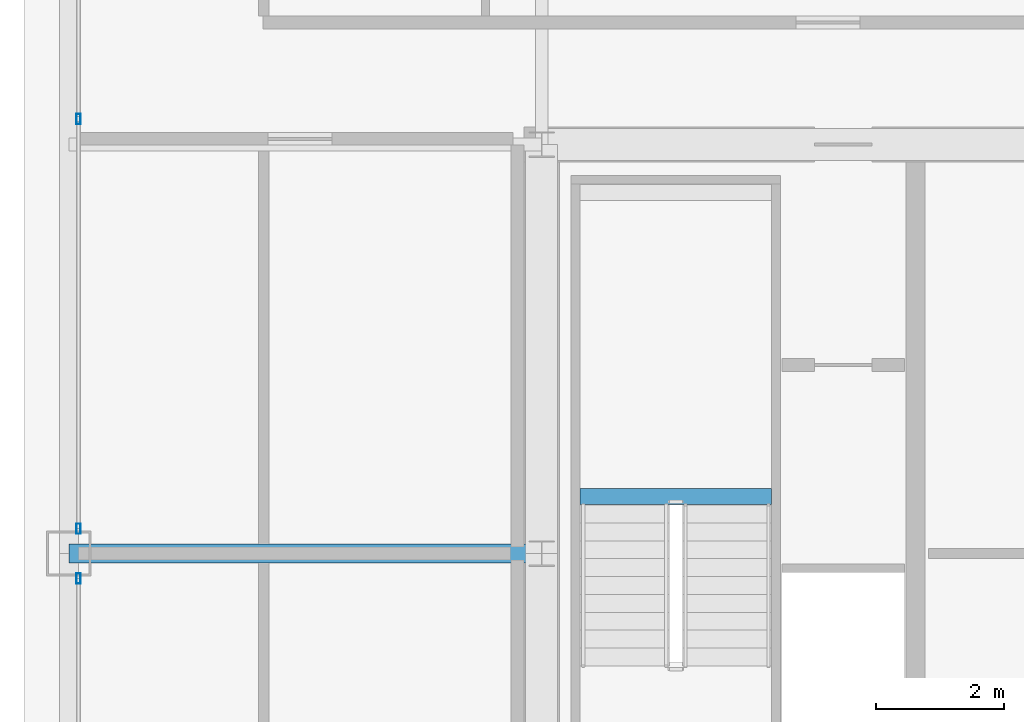
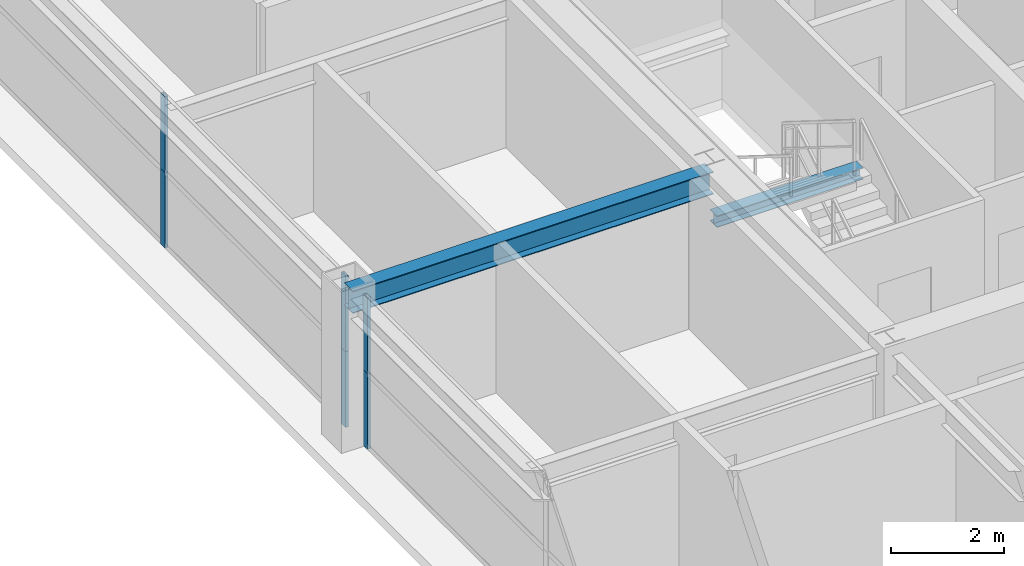
# One storey, part 13 of 36: 6 members, 2 beams, 2 elements without a shape of their own.
"""IFC4 building model written with IfcOpenShell, lengths in metres."""

from ifc_helpers import new_model, si_unit, direction, frame, origin, origin_2d, place, context, subcontext, project, spatial, hollow_rectangle, i_section, extrude, source, transform, mapped, material, layer, layer_set, material_profile, profile_set, type_object, element, aggregate, save


model = new_model("IFC4")

# Units and contexts
model_context = context("Model", 3, precision=1e-05, world=origin(), true_north=direction((0.0, 1.0)))
body_context = subcontext(model_context, "Body", "Model", "MODEL_VIEW")
ifc_project = project(units=[si_unit("LENGTHUNIT", "METRE"), si_unit("AREAUNIT", "SQUARE_METRE"), si_unit("VOLUMEUNIT", "CUBIC_METRE"), si_unit("PLANEANGLEUNIT", "RADIAN"), si_unit("MASSUNIT", "GRAM", prefix="KILO"), si_unit("THERMODYNAMICTEMPERATUREUNIT", "KELVIN"), si_unit("POWERUNIT", "WATT")], contexts=[model_context])

# Site, building, storey
site_placement = place(None, origin())
site = spatial("IfcSite", under=ifc_project, at=site_placement, CompositionType="ELEMENT")
building_placement = place(site_placement, origin())
building = spatial("IfcBuilding", under=site, at=building_placement, Name="Yuzanri Waterfront Tower", CompositionType="ELEMENT")
storey_placement = place(building_placement, frame((0.0, 0.0, 231.10009765625)))
storey = spatial("IfcBuildingStorey", under=building, at=storey_placement, Name="L61", CompositionType="ELEMENT", Elevation=231.10009765625)

# Beam
ifc_material_1 = material(Name="Steel Q355B", Category="steel")
ifc_material_profile_1 = material_profile(ifc_material_1, i_section(OverallWidth=0.300048828125, OverallDepth=0.488037109375, WebThickness=0.010986328125, FlangeThickness=0.01806640625, at=origin_2d()), Name="HM 488x300x11x18")
ifc_profile_set_1 = profile_set([ifc_material_profile_1], Name="Steel Q355B")
beam_type_1 = type_object("IfcBeamType", Name="Primary Floor Girder Q355B HM 488x300", PredefinedType="BEAM", material=ifc_profile_set_1)
shared_shape_1 = source(origin(), body_context, "Body", "SweptSolid", [
    extrude(i_section(OverallWidth=0.300048828125, OverallDepth=0.488037109375, WebThickness=0.010986328125, FlangeThickness=0.01806640625, at=origin_2d()), origin(), (0.0, 0.0, 1.0), 7.400146484375),
])
beam_1_placement = place(storey_placement, frame((23.800048828125, 25.800048828125, 3.035888671875), z_axis=(-1.0, 0.0, 0.0), x_axis=(0.0, -1.0, 0.0)))
element("IfcBeam", 1, at=beam_1_placement, inside=storey, type_object=beam_type_1, Name="L61 West Grid Girder", PredefinedType="BEAM", context=body_context, shape_type="MappedRepresentation", body=[
    mapped(shared_shape_1, transform((0.0, 0.0, 0.0), scale=1.0)),
])

# Curtain wall, members
ifc_material_2 = material(Name="Anodized Architectural Bronze", Category="metal")
ifc_layer = layer(ifc_material_2, 0.159912109375)
ifc_layer_set = layer_set([ifc_layer], Name="Anodized Architectural Bronze")
curtain_wall_type = type_object("IfcCurtainWallType", Name="Anodized Bronze Mid-Rise Residential Acoustic Unitized Curtain Wall 7200", PredefinedType="NOTDEFINED", material=ifc_layer_set)
curtain_wall_1_placement = place(storey_placement, origin())
curtain_wall_1 = element("IfcCurtainWall", 2, at=curtain_wall_1_placement, inside=storey, type_object=curtain_wall_type, Name="L61 Curtain Wall CW-L61-WL", PredefinedType="NOTDEFINED")
ifc_material_3 = material(Name="Anodized Architectural Bronze", Category="metal")
ifc_material_profile_2 = material_profile(ifc_material_3, hollow_rectangle(XDim=0.06494140625, YDim=0.159912109375, WallThickness=0.00341796875, at=origin_2d()), Name="CWM 65x160")
ifc_profile_set_2 = profile_set([ifc_material_profile_2], Name="Anodized Architectural Bronze")
member_type = type_object("IfcMemberType", Name="Anodized Bronze Upper-Zone Curtain-Wall Mullion 65x160", PredefinedType="MULLION", material=ifc_profile_set_2)
shared_shape_2 = source(origin(), body_context, "Body", "SweptSolid", [
    extrude(hollow_rectangle(XDim=0.06494140625, YDim=0.159912109375, WallThickness=0.00341796875, at=origin_2d()), origin(), (0.0, 0.0, 1.0), 1.637939453125),
])
member_1_placement = place(storey_placement, frame((16.550048828125, 25.409912109375, 0.0), z_axis=(0.0, 0.0, 1.0), x_axis=(1.0, 0.0, 0.0)))
member_1 = element("IfcMember", 3, at=member_1_placement, type_object=member_type, Name="CW-L61-WL Lower Mullion 02", PredefinedType="MULLION", context=body_context, shape_type="MappedRepresentation", body=[
    mapped(shared_shape_2, transform((0.0, 0.0, 0.0), scale=1.0)),
])
member_2_placement = place(storey_placement, frame((16.550048828125, 25.409912109375, 1.641845703125), z_axis=(0.0, 0.0, 1.0), x_axis=(1.0, 0.0, 0.0)))
member_2 = element("IfcMember", 4, at=member_2_placement, type_object=member_type, Name="CW-L61-WL Upper Mullion 02", PredefinedType="MULLION", context=body_context, shape_type="MappedRepresentation", body=[
    mapped(shared_shape_2, transform((0.0, 0.0, 0.0), scale=1.0)),
])
aggregate(curtain_wall_1, [member_1, member_2])

curtain_wall_2_placement = place(storey_placement, origin())
curtain_wall_2 = element("IfcCurtainWall", 5, at=curtain_wall_2_placement, inside=storey, type_object=curtain_wall_type, Name="L61 Curtain Wall CW-L61-WR", PredefinedType="NOTDEFINED")
member_3_placement = place(storey_placement, frame((16.550048828125, 26.18994140625, 0.0), z_axis=(0.0, 0.0, 1.0), x_axis=(1.0, 0.0, 0.0)))
member_3 = element("IfcMember", 6, at=member_3_placement, type_object=member_type, Name="CW-L61-WR Lower Mullion 00", PredefinedType="MULLION", context=body_context, shape_type="MappedRepresentation", body=[
    mapped(shared_shape_2, transform((0.0, 0.0, 0.0), scale=1.0)),
])
member_4_placement = place(storey_placement, frame((16.550048828125, 26.18994140625, 1.641845703125), z_axis=(0.0, 0.0, 1.0), x_axis=(1.0, 0.0, 0.0)))
member_4 = element("IfcMember", 7, at=member_4_placement, type_object=member_type, Name="CW-L61-WR Upper Mullion 00", PredefinedType="MULLION", context=body_context, shape_type="MappedRepresentation", body=[
    mapped(shared_shape_2, transform((0.0, 0.0, 0.0), scale=1.0)),
])
member_5_placement = place(storey_placement, frame((16.550048828125, 32.60009765625, 0.0), z_axis=(0.0, 0.0, 1.0), x_axis=(1.0, 0.0, 0.0)))
member_5 = element("IfcMember", 8, at=member_5_placement, type_object=member_type, Name="CW-L61-WR Lower Mullion 01", PredefinedType="MULLION", context=body_context, shape_type="MappedRepresentation", body=[
    mapped(shared_shape_2, transform((0.0, 0.0, 0.0), scale=1.0)),
])
member_6_placement = place(storey_placement, frame((16.550048828125, 32.60009765625, 1.641845703125), z_axis=(0.0, 0.0, 1.0), x_axis=(1.0, 0.0, 0.0)))
member_6 = element("IfcMember", 9, at=member_6_placement, type_object=member_type, Name="CW-L61-WR Upper Mullion 01", PredefinedType="MULLION", context=body_context, shape_type="MappedRepresentation", body=[
    mapped(shared_shape_2, transform((0.0, 0.0, 0.0), scale=1.0)),
])
aggregate(curtain_wall_2, [member_3, member_4, member_5, member_6])

# Beam
ifc_material_4 = material(Name="Steel Q355B", Category="steel")
ifc_material_profile_3 = material_profile(ifc_material_4, i_section(OverallWidth=0.25, OverallDepth=0.25, WebThickness=0.009033203125, FlangeThickness=0.013916015625, at=origin_2d()), Name="HW 250x250x9x14")
ifc_profile_set_3 = profile_set([ifc_material_profile_3], Name="Steel Q355B")
beam_type_2 = type_object("IfcBeamType", Name="Stair Landing Support Beam Q355B HW 250x250", PredefinedType="BEAM", material=ifc_profile_set_3)
shared_shape_3 = source(origin(), body_context, "Body", "SweptSolid", [
    extrude(i_section(OverallWidth=0.25, OverallDepth=0.25, WebThickness=0.009033203125, FlangeThickness=0.013916015625, at=origin_2d()), origin(), (0.0, 0.0, 1.0), 3.0),
])
beam_2_placement = place(storey_placement, frame((24.39990234375, 26.68994140625, 1.4248046875), z_axis=(1.0, 0.0, 0.0), x_axis=(0.0, 1.0, 0.0)))
element("IfcBeam", 10, at=beam_2_placement, inside=storey, type_object=beam_type_2, Name="L61 Stair Landing Support Beam ST-01-L61-L1-1", PredefinedType="BEAM", context=body_context, shape_type="MappedRepresentation", body=[
    mapped(shared_shape_3, transform((0.0, 0.0, 0.0), scale=1.0)),
])

save(model, "model.ifc")
